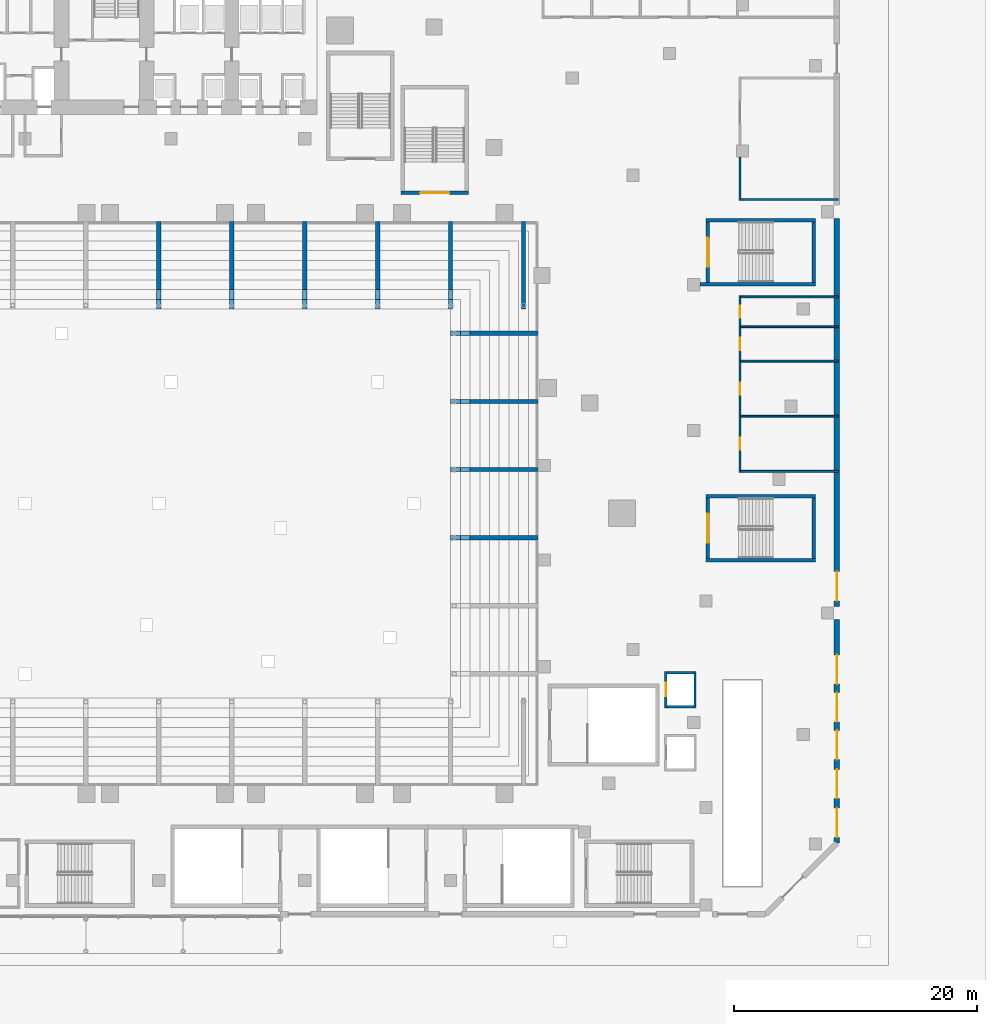
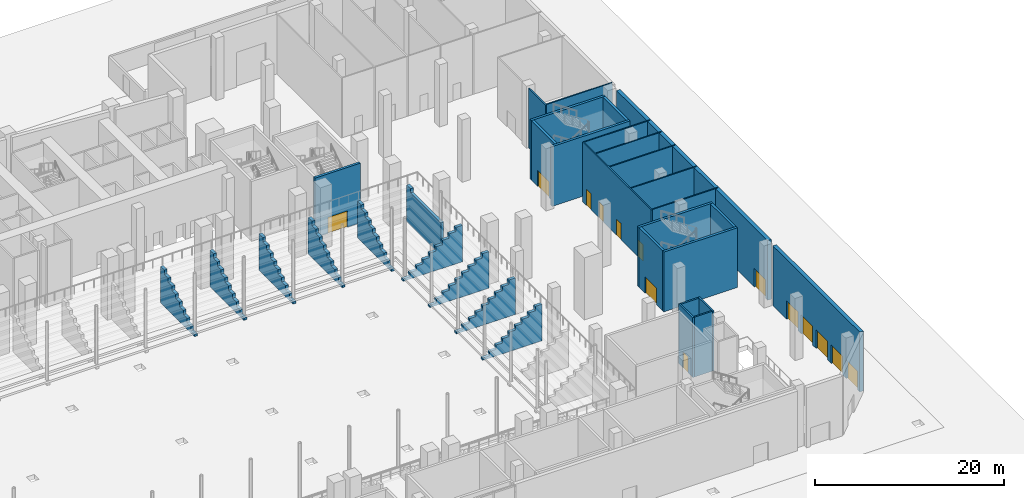
# One storey, part 23 of 41: 33 walls, 14 doors, 14 openings.
"""IFC4 building model written with IfcOpenShell, lengths in metres."""

from ifc_helpers import new_model, si_unit, direction, frame, frame_2d, origin, place, context, subcontext, project, spatial, polyline, rectangle, outline, extrude, material, layer, layer_set, type_object, element, fill, save


model = new_model("IFC4")

# Units and contexts
model_context = context("Model", 3, precision=1e-05, world=origin(), true_north=direction((0.0, 1.0)))
body_context = subcontext(model_context, "Body", "Model", "MODEL_VIEW")
ifc_project = project(units=[si_unit("LENGTHUNIT", "METRE"), si_unit("AREAUNIT", "SQUARE_METRE"), si_unit("VOLUMEUNIT", "CUBIC_METRE"), si_unit("PLANEANGLEUNIT", "RADIAN"), si_unit("MASSUNIT", "GRAM", prefix="KILO")], contexts=[model_context])

# Site, building, storey
site_placement = place(None, origin())
site = spatial("IfcSite", under=ifc_project, at=site_placement, CompositionType="ELEMENT")
building_placement = place(site_placement, origin())
building = spatial("IfcBuilding", under=site, at=building_placement, Name="Wharfspan Tower", CompositionType="ELEMENT")
storey_placement = place(building_placement, origin())
storey = spatial("IfcBuildingStorey", under=building, at=storey_placement, Name="L00", CompositionType="ELEMENT", Elevation=0.0)

# Walls
ifc_material_1 = material(Name="Calcium silicate masonry", Category="masonry")
ifc_layer_1 = layer(ifc_material_1, 0.149902)
ifc_layer_set_1 = layer_set([ifc_layer_1], Name="Calcium silicate masonry")
wall_type_1 = type_object("IfcWallType", Name="Podium room wall 150", PredefinedType="PARTITIONING", material=ifc_layer_set_1)
for number, where, z_axis, x_axis, name in (
    (1, (99.875, 19.0, 0.0), (0.0, 0.0, 1.0), (1.0, 0.0, 0.0), "iw:L00:8"),
    (2, (99.875, 4.649902, 0.0), (0.0, 0.0, 1.0), (1.0, 0.0, 0.0), "iw:L00:9"),
    (3, (99.875, 9.181885, 0.0), (0.0, 0.0, 1.0), (1.0, 0.0, 0.0), "iw:L00:10"),
):
    element("IfcWall", number, at=place(storey_placement, frame(where, z_axis=z_axis, x_axis=x_axis)), inside=storey, type_object=wall_type_1, Name=name, PredefinedType="PARTITIONING", context=body_context, shape_type="SweptSolid", body=[
        extrude(rectangle(XDim=8.02002, YDim=0.149902, at=frame_2d((4.01001, 0.0))), origin(), (0.0, 0.0, 1.0), 7.699951),
    ])

# Wall, openings, doors
wall_1_placement = place(storey_placement, frame((99.800049, 4.574951, 0.0), z_axis=(0.0, 0.0, 1.0), x_axis=(0.0, 1.0, 0.0)))
wall_1 = element("IfcWall", 4, at=wall_1_placement, inside=storey, type_object=wall_type_1, Name="iw:L00:11", PredefinedType="PARTITIONING", context=body_context, shape_type="SweptSolid", body=[
    extrude(rectangle(XDim=14.5, YDim=0.149902, at=frame_2d((7.25, 0.0))), origin(), (0.0, 0.0, 1.0), 7.699951),
])
opening_1_placement = place(wall_1_placement, frame((1.84082, 0.0, 0.0)))
opening_1 = element("IfcOpeningElement", 5, at=opening_1_placement, cuts=wall_1, Name="Opening PD00.5", PredefinedType="OPENING", context=body_context, shape_type="SweptSolid", body=[
    extrude(rectangle(XDim=1.0, YDim=2.100098, at=frame_2d((0.5, 1.050049))), frame((0.0, 0.084961, 0.0), z_axis=(0.0, -1.0, 0.0), x_axis=(1.0, 0.0, 0.0)), (0.0, 0.0, 1.0), 0.169922),
])
opening_2_placement = place(wall_1_placement, frame((6.372314, 0.0, 0.0)))
opening_2 = element("IfcOpeningElement", 6, at=opening_2_placement, cuts=wall_1, Name="Opening PD00.6", PredefinedType="OPENING", context=body_context, shape_type="SweptSolid", body=[
    extrude(rectangle(XDim=1.0, YDim=2.100098, at=frame_2d((0.5, 1.050049))), frame((0.0, 0.084961, 0.0), z_axis=(0.0, -1.0, 0.0), x_axis=(1.0, 0.0, 0.0)), (0.0, 0.0, 1.0), 0.169922),
])
opening_3_placement = place(wall_1_placement, frame((10.054199, 0.0, 0.0)))
opening_3 = element("IfcOpeningElement", 7, at=opening_3_placement, cuts=wall_1, Name="Opening PD00.7", PredefinedType="OPENING", context=body_context, shape_type="SweptSolid", body=[
    extrude(rectangle(XDim=1.0, YDim=2.100098, at=frame_2d((0.5, 1.050049))), frame((0.0, 0.084961, 0.0), z_axis=(0.0, -1.0, 0.0), x_axis=(1.0, 0.0, 0.0)), (0.0, 0.0, 1.0), 0.169922),
])
opening_4_placement = place(wall_1_placement, frame((12.697754, 0.0, 0.0)))
opening_4 = element("IfcOpeningElement", 8, at=opening_4_placement, cuts=wall_1, Name="Opening PD00.8", PredefinedType="OPENING", context=body_context, shape_type="SweptSolid", body=[
    extrude(rectangle(XDim=1.0, YDim=2.100098, at=frame_2d((0.5, 1.050049))), frame((0.0, 0.084961, 0.0), z_axis=(0.0, -1.0, 0.0), x_axis=(1.0, 0.0, 0.0)), (0.0, 0.0, 1.0), 0.169922),
])
ifc_material_2 = material(Name="Steel door leaf", Category="steel")
door_type_1 = type_object("IfcDoorType", Name="Podium room door 1000x2100", OperationType="SINGLE_SWING_LEFT", PredefinedType="DOOR", material=ifc_material_2)
door_1_placement = place(opening_1_placement, origin())
door_1 = element("IfcDoor", 9, at=door_1_placement, inside=storey, type_object=door_type_1, Name="id:L00:5", OperationType="SINGLE_SWING_RIGHT", OverallHeight=2.100098, OverallWidth=1.0, PredefinedType="DOOR", context=body_context, shape_type="SweptSolid", body=[
    extrude(rectangle(XDim=1.0, YDim=2.100098, at=frame_2d((0.5, 1.050049))), frame((0.0, 0.024902, 0.0), z_axis=(0.0, -1.0, 0.0), x_axis=(1.0, 0.0, 0.0)), (0.0, 0.0, 1.0), 0.050049),
])
fill(opening_1, door_1)
door_2_placement = place(opening_2_placement, origin())
door_2 = element("IfcDoor", 10, at=door_2_placement, inside=storey, type_object=door_type_1, Name="id:L00:6", OperationType="SINGLE_SWING_LEFT", OverallHeight=2.100098, OverallWidth=1.0, PredefinedType="DOOR", context=body_context, shape_type="SweptSolid", body=[
    extrude(rectangle(XDim=1.0, YDim=2.100098, at=frame_2d((0.5, 1.050049))), frame((0.0, 0.024902, 0.0), z_axis=(0.0, -1.0, 0.0), x_axis=(1.0, 0.0, 0.0)), (0.0, 0.0, 1.0), 0.050049),
])
fill(opening_2, door_2)
door_3_placement = place(opening_3_placement, origin())
door_3 = element("IfcDoor", 11, at=door_3_placement, inside=storey, type_object=door_type_1, Name="id:L00:7", OperationType="SINGLE_SWING_RIGHT", OverallHeight=2.100098, OverallWidth=1.0, PredefinedType="DOOR", context=body_context, shape_type="SweptSolid", body=[
    extrude(rectangle(XDim=1.0, YDim=2.100098, at=frame_2d((0.5, 1.050049))), frame((0.0, 0.024902, 0.0), z_axis=(0.0, -1.0, 0.0), x_axis=(1.0, 0.0, 0.0)), (0.0, 0.0, 1.0), 0.050049),
])
fill(opening_3, door_3)
door_4_placement = place(opening_4_placement, origin())
door_4 = element("IfcDoor", 12, at=door_4_placement, inside=storey, type_object=door_type_1, Name="id:L00:8", OperationType="SINGLE_SWING_LEFT", OverallHeight=2.100098, OverallWidth=1.0, PredefinedType="DOOR", context=body_context, shape_type="SweptSolid", body=[
    extrude(rectangle(XDim=1.0, YDim=2.100098, at=frame_2d((0.5, 1.050049))), frame((0.0, 0.024902, 0.0), z_axis=(0.0, -1.0, 0.0), x_axis=(1.0, 0.0, 0.0)), (0.0, 0.0, 1.0), 0.050049),
])
fill(opening_4, door_4)

# Walls
wall_2_placement = place(storey_placement, frame((99.800049, 26.925049, 0.0), z_axis=(0.0, 0.0, 1.0), x_axis=(0.0, 1.0, 0.0)))
element("IfcWall", 13, at=wall_2_placement, inside=storey, type_object=wall_type_1, Name="iw:L00:12", PredefinedType="PARTITIONING", context=body_context, shape_type="SweptSolid", body=[
    extrude(rectangle(XDim=3.564941, YDim=0.149902, at=frame_2d((1.782471, 0.0))), origin(), (0.0, 0.0, 1.0), 7.699951),
])
for number, where, z_axis, x_axis, name in (
    (14, (99.875, 13.712891, 0.0), (0.0, 0.0, 1.0), (1.0, 0.0, 0.0), "iw:L00:14"),
    (15, (99.875, 16.544922, 0.0), (0.0, 0.0, 1.0), (1.0, 0.0, 0.0), "iw:L00:15"),
    (16, (99.875, 27.0, 0.0), (0.0, 0.0, 1.0), (1.0, 0.0, 0.0), "iw:L00:21"),
):
    element("IfcWall", number, at=place(storey_placement, frame(where, z_axis=z_axis, x_axis=x_axis)), inside=storey, type_object=wall_type_1, Name=name, PredefinedType="PARTITIONING", context=body_context, shape_type="SweptSolid", body=[
        extrude(rectangle(XDim=8.02002, YDim=0.149902, at=frame_2d((4.01001, 0.0))), origin(), (0.0, 0.0, 1.0), 7.699951),
    ])

# Wall, opening, door
ifc_material_3 = material(Name="Concrete C30/37", Category="concrete")
ifc_layer_2 = layer(ifc_material_3, 0.199951)
ifc_layer_set_2 = layer_set([ifc_layer_2], Name="Concrete C30/37")
wall_type_2 = type_object("IfcWallType", Name="Podium shaft wall 200", PredefinedType="PARTITIONING", material=ifc_layer_set_2)
wall_3_placement = place(storey_placement, frame((93.699951, -14.800049, 0.0), z_axis=(0.0, 0.0, 1.0), x_axis=(0.0, 1.0, 0.0)))
wall_3 = element("IfcWall", 17, at=wall_3_placement, inside=storey, type_object=wall_type_2, Name="pl:LP4:L00:W", PredefinedType="PARTITIONING", context=body_context, shape_type="SweptSolid", body=[
    extrude(rectangle(XDim=3.0, YDim=0.199951, at=frame_2d((1.5, 0.0))), origin(), (0.0, 0.0, 1.0), 7.699951),
])
opening_5_placement = place(wall_3_placement, frame((0.949951, 0.0, 0.0)))
opening_5 = element("IfcOpeningElement", 18, at=opening_5_placement, cuts=wall_3, Name="Opening LDP4.L00", PredefinedType="OPENING", context=body_context, shape_type="SweptSolid", body=[
    extrude(rectangle(XDim=1.100098, YDim=2.100098, at=frame_2d((0.550049, 1.050049))), frame((0.0, 0.109863, 0.0), z_axis=(0.0, -1.0, 0.0), x_axis=(1.0, 0.0, 0.0)), (0.0, 0.0, 1.0), 0.219971),
])
ifc_material_4 = material(Name="Stainless steel", Category="steel")
door_type_2 = type_object("IfcDoorType", Name="Podium lift landing door 1100x2100", OperationType="DOUBLE_DOOR_SLIDING", PredefinedType="DOOR", material=ifc_material_4)
door_5_placement = place(opening_5_placement, origin())
door_5 = element("IfcDoor", 19, at=door_5_placement, inside=storey, type_object=door_type_2, Name="Landing door LP4 L00", OperationType="DOUBLE_DOOR_SLIDING", OverallHeight=2.100098, OverallWidth=1.100098, PredefinedType="DOOR", context=body_context, shape_type="SweptSolid", body=[
    extrude(rectangle(XDim=1.100098, YDim=2.100098, at=frame_2d((0.550049, 1.050049))), frame((0.0, 0.024902, 0.0), z_axis=(0.0, -1.0, 0.0), x_axis=(1.0, 0.0, 0.0)), (0.0, 0.0, 1.0), 0.050049),
])
fill(opening_5, door_5)

# Walls
wall_4_placement = place(storey_placement, frame((96.100098, -14.800049, 0.0), z_axis=(0.0, 0.0, 1.0), x_axis=(0.0, 1.0, 0.0)))
element("IfcWall", 20, at=wall_4_placement, inside=storey, type_object=wall_type_2, Name="pl:LP4:L00:E", PredefinedType="PARTITIONING", context=body_context, shape_type="SweptSolid", body=[
    extrude(rectangle(XDim=3.0, YDim=0.199951, at=frame_2d((1.5, 0.0))), origin(), (0.0, 0.0, 1.0), 7.699951),
])
for number, where, z_axis, x_axis, name in (
    (21, (93.800049, -14.699951, 0.0), (0.0, 0.0, 1.0), (1.0, 0.0, 0.0), "pl:LP4:L00:S"),
    (22, (93.800049, -11.899902, 0.0), (0.0, 0.0, 1.0), (1.0, 0.0, 0.0), "pl:LP4:L00:N"),
):
    element("IfcWall", number, at=place(storey_placement, frame(where, z_axis=z_axis, x_axis=x_axis)), inside=storey, type_object=wall_type_2, Name=name, PredefinedType="PARTITIONING", context=body_context, shape_type="SweptSolid", body=[
        extrude(rectangle(XDim=2.199951, YDim=0.199951, at=frame_2d((1.100098, 0.0))), origin(), (0.0, 0.0, 1.0), 7.699951),
    ])
ifc_material_5 = material(Name="Concrete C40/50", Category="concrete")
ifc_layer_3 = layer(ifc_material_5, 0.300049)
ifc_layer_set_3 = layer_set([ifc_layer_3], Name="Concrete C40/50")
wall_type_3 = type_object("IfcWallType", Name="Podium stair core wall 300", PredefinedType="SHEAR", material=ifc_layer_set_3)
for number, where, z_axis, x_axis, name in (
    (23, (97.0, -2.649902, 0.0), (0.0, 0.0, 1.0), (1.0, 0.0, 0.0), "iw:L00:AS8S"),
    (24, (97.0, 2.600098, 0.0), (0.0, 0.0, 1.0), (1.0, 0.0, 0.0), "iw:L00:AS8N"),
):
    element("IfcWall", number, at=place(storey_placement, frame(where, z_axis=z_axis, x_axis=x_axis)), inside=storey, type_object=wall_type_3, Name=name, PredefinedType="SHEAR", context=body_context, shape_type="SweptSolid", body=[
        extrude(rectangle(XDim=9.0, YDim=0.300049, at=frame_2d((4.5, 0.0))), origin(), (0.0, 0.0, 1.0), 7.699951),
    ])

# Wall, opening, door
wall_5_placement = place(storey_placement, frame((97.149902, -2.5, 0.0), z_axis=(0.0, 0.0, 1.0), x_axis=(0.0, 1.0, 0.0)))
wall_5 = element("IfcWall", 25, at=wall_5_placement, inside=storey, type_object=wall_type_3, Name="iw:L00:AS8W", PredefinedType="SHEAR", context=body_context, shape_type="SweptSolid", body=[
    extrude(rectangle(XDim=4.949951, YDim=0.300049, at=frame_2d((2.475098, 0.0))), origin(), (0.0, 0.0, 1.0), 7.699951),
])
opening_6_placement = place(wall_5_placement, frame((1.274902, 0.0, 0.0)))
opening_6 = element("IfcOpeningElement", 26, at=opening_6_placement, cuts=wall_5, Name="Opening SDAS8.L00", PredefinedType="OPENING", context=body_context, shape_type="SweptSolid", body=[
    extrude(rectangle(XDim=2.399902, YDim=2.100098, at=frame_2d((1.199951, 1.050049))), frame((0.0, 0.159912, 0.0), z_axis=(0.0, -1.0, 0.0), x_axis=(1.0, 0.0, 0.0)), (0.0, 0.0, 1.0), 0.320068),
])
door_type_3 = type_object("IfcDoorType", Name="Podium stair door 2400x2100", OperationType="DOUBLE_DOOR_SINGLE_SWING", PredefinedType="DOOR", material=ifc_material_2)
door_6_placement = place(opening_6_placement, origin())
door_6 = element("IfcDoor", 27, at=door_6_placement, inside=storey, type_object=door_type_3, Name="id:L00:AS8", OperationType="DOUBLE_DOOR_SINGLE_SWING", OverallHeight=2.100098, OverallWidth=2.399902, PredefinedType="DOOR", context=body_context, shape_type="SweptSolid", body=[
    extrude(rectangle(XDim=2.399902, YDim=2.100098, at=frame_2d((1.199951, 1.050049))), frame((0.0, 0.024902, 0.0), z_axis=(0.0, -1.0, 0.0), x_axis=(1.0, 0.0, 0.0)), (0.0, 0.0, 1.0), 0.050049),
])
fill(opening_6, door_6)

# Walls
wall_6_placement = place(storey_placement, frame((105.850098, -2.5, 0.0), z_axis=(0.0, 0.0, 1.0), x_axis=(0.0, 1.0, 0.0)))
element("IfcWall", 28, at=wall_6_placement, inside=storey, type_object=wall_type_3, Name="iw:L00:AS8E", PredefinedType="SHEAR", context=body_context, shape_type="SweptSolid", body=[
    extrude(rectangle(XDim=4.949951, YDim=0.300049, at=frame_2d((2.475098, 0.0))), origin(), (0.0, 0.0, 1.0), 7.699951),
])
wall_7_placement = place(storey_placement, frame((96.5, 20.050049, 0.0), z_axis=(0.0, 0.0, 1.0), x_axis=(1.0, 0.0, 0.0)))
element("IfcWall", 29, at=wall_7_placement, inside=storey, type_object=wall_type_3, Name="iw:L00:AS4S", PredefinedType="SHEAR", context=body_context, shape_type="SweptSolid", body=[
    extrude(rectangle(XDim=9.5, YDim=0.300049, at=frame_2d((4.75, 0.0))), origin(), (0.0, 0.0, 1.0), 7.699951),
])
wall_8_placement = place(storey_placement, frame((97.0, 25.300049, 0.0), z_axis=(0.0, 0.0, 1.0), x_axis=(1.0, 0.0, 0.0)))
element("IfcWall", 30, at=wall_8_placement, inside=storey, type_object=wall_type_3, Name="iw:L00:AS4N", PredefinedType="SHEAR", context=body_context, shape_type="SweptSolid", body=[
    extrude(rectangle(XDim=9.0, YDim=0.300049, at=frame_2d((4.5, 0.0))), origin(), (0.0, 0.0, 1.0), 7.699951),
])

# Wall, opening, door
wall_9_placement = place(storey_placement, frame((97.149902, 20.199951, 0.0), z_axis=(0.0, 0.0, 1.0), x_axis=(0.0, 1.0, 0.0)))
wall_9 = element("IfcWall", 31, at=wall_9_placement, inside=storey, type_object=wall_type_3, Name="iw:L00:AS4W", PredefinedType="SHEAR", context=body_context, shape_type="SweptSolid", body=[
    extrude(rectangle(XDim=4.949951, YDim=0.300049, at=frame_2d((2.475098, 0.0))), origin(), (0.0, 0.0, 1.0), 7.699951),
])
opening_7_placement = place(wall_9_placement, frame((1.274902, 0.0, 0.0)))
opening_7 = element("IfcOpeningElement", 32, at=opening_7_placement, cuts=wall_9, Name="Opening SDAS4.L00", PredefinedType="OPENING", context=body_context, shape_type="SweptSolid", body=[
    extrude(rectangle(XDim=2.399902, YDim=2.100098, at=frame_2d((1.199951, 1.050049))), frame((0.0, 0.159912, 0.0), z_axis=(0.0, -1.0, 0.0), x_axis=(1.0, 0.0, 0.0)), (0.0, 0.0, 1.0), 0.320068),
])
door_7_placement = place(opening_7_placement, origin())
door_7 = element("IfcDoor", 33, at=door_7_placement, inside=storey, type_object=door_type_3, Name="id:L00:AS4", OperationType="DOUBLE_DOOR_SINGLE_SWING", OverallHeight=2.100098, OverallWidth=2.399902, PredefinedType="DOOR", context=body_context, shape_type="SweptSolid", body=[
    extrude(rectangle(XDim=2.399902, YDim=2.100098, at=frame_2d((1.199951, 1.050049))), frame((0.0, 0.024902, 0.0), z_axis=(0.0, -1.0, 0.0), x_axis=(1.0, 0.0, 0.0)), (0.0, 0.0, 1.0), 0.050049),
])
fill(opening_7, door_7)

# Wall
wall_10_placement = place(storey_placement, frame((105.850098, 20.199951, 0.0), z_axis=(0.0, 0.0, 1.0), x_axis=(0.0, 1.0, 0.0)))
element("IfcWall", 34, at=wall_10_placement, inside=storey, type_object=wall_type_3, Name="iw:L00:AS4E", PredefinedType="SHEAR", context=body_context, shape_type="SweptSolid", body=[
    extrude(rectangle(XDim=4.949951, YDim=0.300049, at=frame_2d((2.475098, 0.0))), origin(), (0.0, 0.0, 1.0), 7.699951),
])

# Wall, opening, door
wall_11_placement = place(storey_placement, frame((71.91748, 27.550049, 0.0), z_axis=(0.0, 0.0, 1.0), x_axis=(1.0, 0.0, 0.0)))
wall_11 = element("IfcWall", 35, at=wall_11_placement, inside=storey, type_object=wall_type_3, Name="iw:L00:PS5S", PredefinedType="SHEAR", context=body_context, shape_type="SweptSolid", body=[
    extrude(rectangle(XDim=5.550049, YDim=0.300049, at=frame_2d((2.774902, 0.0))), origin(), (0.0, 0.0, 1.0), 7.699951),
])
opening_8_placement = place(wall_11_placement, frame((1.574951, 0.0, 0.0)))
opening_8 = element("IfcOpeningElement", 36, at=opening_8_placement, cuts=wall_11, Name="Opening SDPS5.L00", PredefinedType="OPENING", context=body_context, shape_type="SweptSolid", body=[
    extrude(rectangle(XDim=2.399902, YDim=2.100098, at=frame_2d((1.199951, 1.050049))), frame((0.0, 0.159912, 0.0), z_axis=(0.0, -1.0, 0.0), x_axis=(1.0, 0.0, 0.0)), (0.0, 0.0, 1.0), 0.320068),
])
door_8_placement = place(opening_8_placement, origin())
door_8 = element("IfcDoor", 37, at=door_8_placement, inside=storey, type_object=door_type_3, Name="id:L00:PS5", OperationType="DOUBLE_DOOR_SINGLE_SWING", OverallHeight=2.100098, OverallWidth=2.399902, PredefinedType="DOOR", context=body_context, shape_type="SweptSolid", body=[
    extrude(rectangle(XDim=2.399902, YDim=2.100098, at=frame_2d((1.199951, 1.050049))), frame((0.0, 0.024902, 0.0), z_axis=(0.0, -1.0, 0.0), x_axis=(1.0, 0.0, 0.0)), (0.0, 0.0, 1.0), 0.050049),
])
fill(opening_8, door_8)

# Walls
ifc_material_6 = material(Name="Concrete C35/45", Category="concrete")
ifc_layer_4 = layer(ifc_material_6, 0.350098)
ifc_layer_set_4 = layer_set([ifc_layer_4], Name="Concrete C35/45")
wall_type_4 = type_object("IfcWallType", Name="Raker wall 350", PredefinedType="SHEAR", material=ifc_layer_set_4)
for number, where, z_axis, x_axis, name in (
    (38, (52.0, 18.0, 0.0), (0.0, 0.0, 1.0), (0.0, 1.0, 0.0), "Raker wall"),
    (39, (58.0, 18.0, 0.0), (0.0, 0.0, 1.0), (0.0, 1.0, 0.0), "Raker wall"),
    (40, (64.0, 18.0, 0.0), (0.0, 0.0, 1.0), (0.0, 1.0, 0.0), "Raker wall"),
    (41, (70.0, 18.0, 0.0), (0.0, 0.0, 1.0), (0.0, 1.0, 0.0), "Raker wall"),
    (42, (76.0, 18.0, 0.0), (0.0, 0.0, 1.0), (0.0, 1.0, 0.0), "Raker wall"),
):
    element("IfcWall", number, at=place(storey_placement, frame(where, z_axis=z_axis, x_axis=x_axis)), inside=storey, type_object=wall_type_4, Name=name, PredefinedType="SHEAR", context=body_context, shape_type="SweptSolid", body=[
        extrude(outline(polyline([(0.0, 0.0), (7.199951, 0.0), (7.199951, 4.699951), (6.399902, 4.699951), (6.399902, 4.149902), (5.600098, 4.149902), (5.600098, 3.600098), (4.800049, 3.600098), (4.800049, 3.050049), (4.0, 3.050049), (4.0, 2.5), (3.199951, 2.5), (3.199951, 1.949951), (2.399902, 1.949951), (2.399902, 1.399902), (1.600098, 1.399902), (1.600098, 0.850098), (0.800049, 0.850098), (0.800049, 0.300049), (0.0, 0.300049), (0.0, 0.0)])), frame((0.0, 0.175049, 0.0), z_axis=(0.0, -1.0, 0.0), x_axis=(1.0, 0.0, 0.0)), (0.0, 0.0, 1.0), 0.350098),
    ])
wall_12_placement = place(storey_placement, frame((82.0, 18.0, 0.0), z_axis=(0.0, 0.0, 1.0), x_axis=(0.0, 1.0, 0.0)))
element("IfcWall", 43, at=wall_12_placement, inside=storey, type_object=wall_type_4, Name="Raker wall", PredefinedType="SHEAR", context=body_context, shape_type="SweptSolid", body=[
    extrude(outline(polyline([(0.0, 0.0), (7.199951, 0.0), (7.199951, 4.699951), (6.399902, 4.699951), (6.399902, 4.149902), (5.600098, 4.149902), (4.800049, 4.149902), (4.0, 4.149902), (3.199951, 4.149902), (2.399902, 4.149902), (1.600098, 4.149902), (0.800049, 4.149902), (0.0, 4.149902), (0.0, 0.0)])), frame((0.0, 0.175049, 0.0), z_axis=(0.0, -1.0, 0.0), x_axis=(1.0, 0.0, 0.0)), (0.0, 0.0, 1.0), 0.350098),
])
for number, where, z_axis, x_axis, name in (
    (44, (76.0, -0.800049, 0.0), (0.0, 0.0, 1.0), (1.0, 0.0, 0.0), "Raker wall"),
    (45, (76.0, 4.800049, 0.0), (0.0, 0.0, 1.0), (1.0, 0.0, 0.0), "Raker wall"),
    (46, (76.0, 10.399902, 0.0), (0.0, 0.0, 1.0), (1.0, 0.0, 0.0), "Raker wall"),
    (47, (76.0, 16.0, 0.0), (0.0, 0.0, 1.0), (1.0, 0.0, 0.0), "Raker wall"),
):
    element("IfcWall", number, at=place(storey_placement, frame(where, z_axis=z_axis, x_axis=x_axis)), inside=storey, type_object=wall_type_4, Name=name, PredefinedType="SHEAR", context=body_context, shape_type="SweptSolid", body=[
        extrude(outline(polyline([(0.0, 0.0), (7.199951, 0.0), (7.199951, 4.699951), (6.399902, 4.699951), (6.399902, 4.149902), (5.600098, 4.149902), (5.600098, 3.600098), (4.800049, 3.600098), (4.800049, 3.050049), (4.0, 3.050049), (4.0, 2.5), (3.199951, 2.5), (3.199951, 1.949951), (2.399902, 1.949951), (2.399902, 1.399902), (1.600098, 1.399902), (1.600098, 0.850098), (0.800049, 0.850098), (0.800049, 0.300049), (0.0, 0.300049), (0.0, 0.0)])), frame((0.0, 0.175049, 0.0), z_axis=(0.0, -1.0, 0.0), x_axis=(1.0, 0.0, 0.0)), (0.0, 0.0, 1.0), 0.350098),
    ])

# Wall, openings, doors
ifc_layer_5 = layer(ifc_material_5, 0.449951)
ifc_layer_set_5 = layer_set([ifc_layer_5], Name="Concrete C40/50")
wall_type_5 = type_object("IfcWallType", Name="WALL BOARD-MARKED CONCRETE 450", PredefinedType="SOLIDWALL", material=ifc_layer_set_5)
wall_13_placement = place(storey_placement, frame((107.774902, -25.899902, 0.0), z_axis=(0.0, 0.0, 1.0), x_axis=(0.0, 1.0, 0.0)))
wall_13 = element("IfcWall", 48, at=wall_13_placement, inside=storey, type_object=wall_type_5, Name="Podium wall PF3", PredefinedType="SOLIDWALL", context=body_context, shape_type="SweptSolid", body=[
    extrude(rectangle(XDim=18.349854, YDim=0.449951, at=frame_2d((9.174805, 0.0))), origin(), (0.0, 0.0, 1.0), 7.699951),
])
opening_9_placement = place(wall_13_placement, frame((0.449951, 0.0, 0.0)))
opening_9 = element("IfcOpeningElement", 49, at=opening_9_placement, cuts=wall_13, Name="Opening ED4", PredefinedType="OPENING", context=body_context, shape_type="SweptSolid", body=[
    extrude(rectangle(XDim=2.399902, YDim=2.399902, at=frame_2d((1.199951, 1.199951))), frame((0.0, 0.234863, 0.0), z_axis=(0.0, -1.0, 0.0), x_axis=(1.0, 0.0, 0.0)), (0.0, 0.0, 1.0), 0.469971),
])
opening_10_placement = place(wall_13_placement, frame((3.649902, 0.0, 0.0)))
opening_10 = element("IfcOpeningElement", 50, at=opening_10_placement, cuts=wall_13, Name="Opening ED4", PredefinedType="OPENING", context=body_context, shape_type="SweptSolid", body=[
    extrude(rectangle(XDim=2.399902, YDim=2.399902, at=frame_2d((1.199951, 1.199951))), frame((0.0, 0.234863, 0.0), z_axis=(0.0, -1.0, 0.0), x_axis=(1.0, 0.0, 0.0)), (0.0, 0.0, 1.0), 0.469971),
])
opening_11_placement = place(wall_13_placement, frame((6.850098, 0.0, 0.0)))
opening_11 = element("IfcOpeningElement", 51, at=opening_11_placement, cuts=wall_13, Name="Opening ED4", PredefinedType="OPENING", context=body_context, shape_type="SweptSolid", body=[
    extrude(rectangle(XDim=2.399902, YDim=2.399902, at=frame_2d((1.199951, 1.199951))), frame((0.0, 0.234863, 0.0), z_axis=(0.0, -1.0, 0.0), x_axis=(1.0, 0.0, 0.0)), (0.0, 0.0, 1.0), 0.469971),
])
opening_12_placement = place(wall_13_placement, frame((9.949951, 0.0, 0.0)))
opening_12 = element("IfcOpeningElement", 52, at=opening_12_placement, cuts=wall_13, Name="Opening ED4", PredefinedType="OPENING", context=body_context, shape_type="SweptSolid", body=[
    extrude(rectangle(XDim=2.399902, YDim=2.399902, at=frame_2d((1.199951, 1.199951))), frame((0.0, 0.234863, 0.0), z_axis=(0.0, -1.0, 0.0), x_axis=(1.0, 0.0, 0.0)), (0.0, 0.0, 1.0), 0.469971),
])
opening_13_placement = place(wall_13_placement, frame((13.050049, 0.0, 0.0)))
opening_13 = element("IfcOpeningElement", 53, at=opening_13_placement, cuts=wall_13, Name="Opening ED4", PredefinedType="OPENING", context=body_context, shape_type="SweptSolid", body=[
    extrude(rectangle(XDim=2.399902, YDim=2.399902, at=frame_2d((1.199951, 1.199951))), frame((0.0, 0.234863, 0.0), z_axis=(0.0, -1.0, 0.0), x_axis=(1.0, 0.0, 0.0)), (0.0, 0.0, 1.0), 0.469971),
])
ifc_material_7 = material(Name="Steel S355J2", Category="steel")
door_type_4 = type_object("IfcDoorType", Name="EXIT DOOR DOUBLE 2400x2400", OperationType="DOUBLE_DOOR_DOUBLE_SWING", PredefinedType="DOOR", material=ifc_material_7)
door_9_placement = place(opening_9_placement, origin())
door_9 = element("IfcDoor", 54, at=door_9_placement, inside=storey, type_object=door_type_4, Name="Exit door", OperationType="DOUBLE_DOOR_DOUBLE_SWING", OverallHeight=2.399902, OverallWidth=2.399902, PredefinedType="DOOR", context=body_context, shape_type="SweptSolid", body=[
    extrude(rectangle(XDim=2.399902, YDim=2.399902, at=frame_2d((1.199951, 1.199951))), frame((0.0, 0.024902, 0.0), z_axis=(0.0, -1.0, 0.0), x_axis=(1.0, 0.0, 0.0)), (0.0, 0.0, 1.0), 0.050049),
])
fill(opening_9, door_9)
door_10_placement = place(opening_10_placement, origin())
door_10 = element("IfcDoor", 55, at=door_10_placement, inside=storey, type_object=door_type_4, Name="Exit door", OperationType="DOUBLE_DOOR_DOUBLE_SWING", OverallHeight=2.399902, OverallWidth=2.399902, PredefinedType="DOOR", context=body_context, shape_type="SweptSolid", body=[
    extrude(rectangle(XDim=2.399902, YDim=2.399902, at=frame_2d((1.199951, 1.199951))), frame((0.0, 0.024902, 0.0), z_axis=(0.0, -1.0, 0.0), x_axis=(1.0, 0.0, 0.0)), (0.0, 0.0, 1.0), 0.050049),
])
fill(opening_10, door_10)
door_11_placement = place(opening_11_placement, origin())
door_11 = element("IfcDoor", 56, at=door_11_placement, inside=storey, type_object=door_type_4, Name="Exit door", OperationType="DOUBLE_DOOR_DOUBLE_SWING", OverallHeight=2.399902, OverallWidth=2.399902, PredefinedType="DOOR", context=body_context, shape_type="SweptSolid", body=[
    extrude(rectangle(XDim=2.399902, YDim=2.399902, at=frame_2d((1.199951, 1.199951))), frame((0.0, 0.024902, 0.0), z_axis=(0.0, -1.0, 0.0), x_axis=(1.0, 0.0, 0.0)), (0.0, 0.0, 1.0), 0.050049),
])
fill(opening_11, door_11)
door_12_placement = place(opening_12_placement, origin())
door_12 = element("IfcDoor", 57, at=door_12_placement, inside=storey, type_object=door_type_4, Name="Exit door", OperationType="DOUBLE_DOOR_DOUBLE_SWING", OverallHeight=2.399902, OverallWidth=2.399902, PredefinedType="DOOR", context=body_context, shape_type="SweptSolid", body=[
    extrude(rectangle(XDim=2.399902, YDim=2.399902, at=frame_2d((1.199951, 1.199951))), frame((0.0, 0.024902, 0.0), z_axis=(0.0, -1.0, 0.0), x_axis=(1.0, 0.0, 0.0)), (0.0, 0.0, 1.0), 0.050049),
])
fill(opening_12, door_12)
door_13_placement = place(opening_13_placement, origin())
door_13 = element("IfcDoor", 58, at=door_13_placement, inside=storey, type_object=door_type_4, Name="Exit door", OperationType="DOUBLE_DOOR_DOUBLE_SWING", OverallHeight=2.399902, OverallWidth=2.399902, PredefinedType="DOOR", context=body_context, shape_type="SweptSolid", body=[
    extrude(rectangle(XDim=2.399902, YDim=2.399902, at=frame_2d((1.199951, 1.199951))), frame((0.0, 0.024902, 0.0), z_axis=(0.0, -1.0, 0.0), x_axis=(1.0, 0.0, 0.0)), (0.0, 0.0, 1.0), 0.050049),
])
fill(opening_13, door_13)

# Wall, opening, door
wall_14_placement = place(storey_placement, frame((107.774902, -6.449951, 0.0), z_axis=(0.0, 0.0, 1.0), x_axis=(0.0, 1.0, 0.0)))
wall_14 = element("IfcWall", 59, at=wall_14_placement, inside=storey, type_object=wall_type_5, Name="Podium wall PF3", PredefinedType="SOLIDWALL", context=body_context, shape_type="SweptSolid", body=[
    extrude(rectangle(XDim=31.899902, YDim=0.449951, at=frame_2d((15.949951, 0.0))), origin(), (0.0, 0.0, 1.0), 7.699951),
])
opening_14_placement = place(wall_14_placement, frame((0.449951, 0.0, 0.0)))
opening_14 = element("IfcOpeningElement", 60, at=opening_14_placement, cuts=wall_14, Name="Opening ED4", PredefinedType="OPENING", context=body_context, shape_type="SweptSolid", body=[
    extrude(rectangle(XDim=2.399902, YDim=2.399902, at=frame_2d((1.199951, 1.199951))), frame((0.0, 0.234863, 0.0), z_axis=(0.0, -1.0, 0.0), x_axis=(1.0, 0.0, 0.0)), (0.0, 0.0, 1.0), 0.469971),
])
door_14_placement = place(opening_14_placement, origin())
door_14 = element("IfcDoor", 61, at=door_14_placement, inside=storey, type_object=door_type_4, Name="Exit door", OperationType="DOUBLE_DOOR_DOUBLE_SWING", OverallHeight=2.399902, OverallWidth=2.399902, PredefinedType="DOOR", context=body_context, shape_type="SweptSolid", body=[
    extrude(rectangle(XDim=2.399902, YDim=2.399902, at=frame_2d((1.199951, 1.199951))), frame((0.0, 0.024902, 0.0), z_axis=(0.0, -1.0, 0.0), x_axis=(1.0, 0.0, 0.0)), (0.0, 0.0, 1.0), 0.050049),
])
fill(opening_14, door_14)

save(model, "model.ifc")
